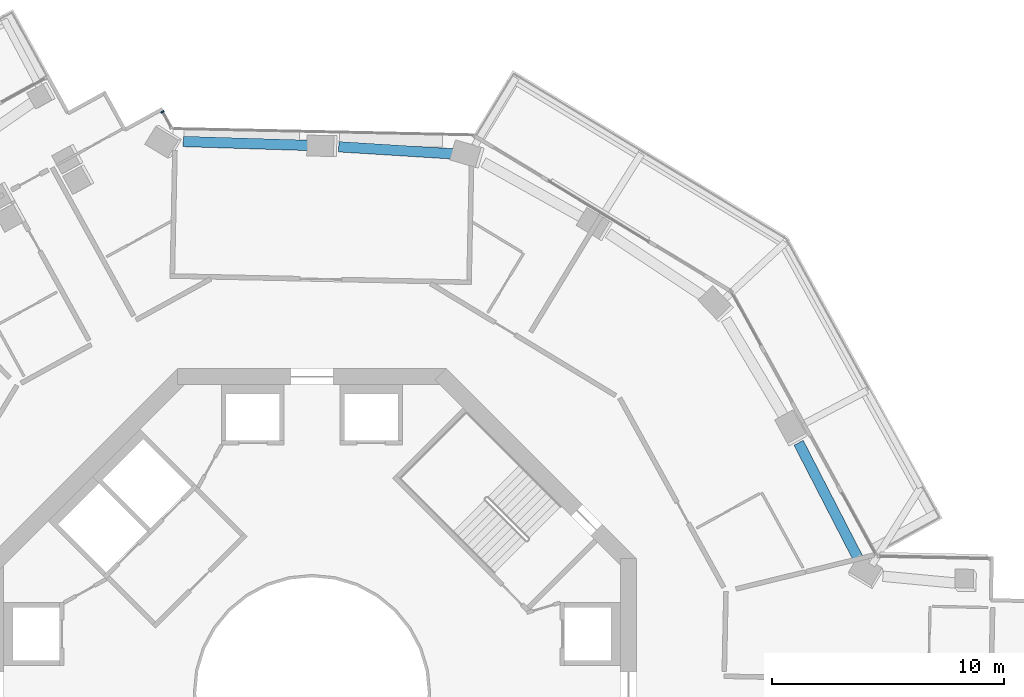
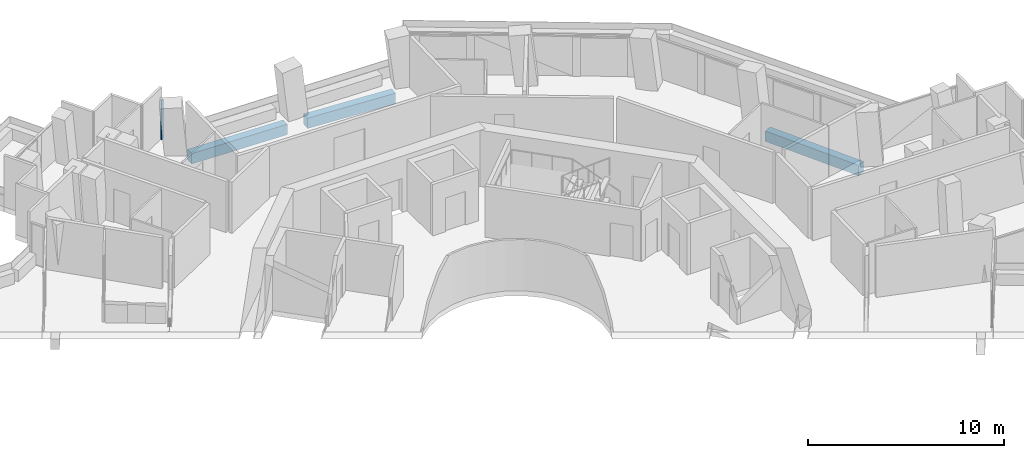
# One storey, part 8 of 22: 3 beams, 1 member, 1 element without a shape of its own.
"""IFC4 building model written with IfcOpenShell, lengths in metres."""

from ifc_helpers import new_model, si_unit, direction, frame, origin, origin_2d, place, context, subcontext, project, spatial, rectangle, extrude, material, layer, layer_set, material_profile, profile_set, type_object, element, aggregate, save


model = new_model("IFC4")

# Units and contexts
model_context = context("Model", 3, precision=1e-05, world=origin(), true_north=direction((0.0, 1.0)))
body_context = subcontext(model_context, "Body", "Model", "MODEL_VIEW")
ifc_project = project(units=[si_unit("LENGTHUNIT", "METRE"), si_unit("AREAUNIT", "SQUARE_METRE"), si_unit("VOLUMEUNIT", "CUBIC_METRE"), si_unit("PLANEANGLEUNIT", "RADIAN"), si_unit("MASSUNIT", "GRAM", prefix="KILO")], contexts=[model_context])

# Site, building, storey
site_placement = place(None, origin())
site = spatial("IfcSite", under=ifc_project, at=site_placement, CompositionType="ELEMENT")
building_placement = place(site_placement, origin())
building = spatial("IfcBuilding", under=site, at=building_placement, Name="Verdalira Terraces Hotel", CompositionType="ELEMENT")
storey_placement = place(building_placement, frame((0.0, 0.0, 150.5)))
storey = spatial("IfcBuildingStorey", under=building, at=storey_placement, Name="L36", CompositionType="ELEMENT", Elevation=150.5)

# Curtain wall, member
ifc_material_1 = material(Name="Clear glass", Category="glass")
ifc_layer = layer(ifc_material_1, 0.14990234375)
ifc_layer_set = layer_set([ifc_layer], Name="CW2 curtain wall")
curtain_wall_type = type_object("IfcCurtainWallType", Name="CW2 curtain wall", PredefinedType="NOTDEFINED", material=ifc_layer_set)
curtain_wall_placement = place(storey_placement, origin())
curtain_wall = element("IfcCurtainWall", 1, at=curtain_wall_placement, inside=storey, type_object=curtain_wall_type, Name="CW2 curtain wall L36 edge 0", PredefinedType="NOTDEFINED")
ifc_material_2 = material(Name="Terracotta frame", Category="masonry")
ifc_material_profile_1 = material_profile(ifc_material_2, rectangle(XDim=0.070068, YDim=0.149902, at=origin_2d()), Name="MU 70x150")
ifc_profile_set_1 = profile_set([ifc_material_profile_1], Name="Terracotta frame")
member_type = type_object("IfcMemberType", Name="CW2 mullion 70x150", PredefinedType="MULLION", material=ifc_profile_set_1)
member_placement = place(storey_placement, frame((-6.448975, 25.067139, 0.0), z_axis=(0.0, 0.0, 1.0), x_axis=(-0.481753674, 0.87630668, 0.0)))
member = element("IfcMember", 2, at=member_placement, type_object=member_type, Name="CW2 mullion", PredefinedType="MULLION", context=body_context, shape_type="SweptSolid", body=[
    extrude(rectangle(XDim=0.070068, YDim=0.149902, at=origin_2d()), origin(), (0.0, 0.0, 1.0), 2.475098),
])
aggregate(curtain_wall, [member])

# Beams
ifc_material_3 = material(Name="Concrete C50", Category="concrete")
ifc_material_profile_2 = material_profile(ifc_material_3, rectangle(XDim=0.449951, YDim=0.649902, at=origin_2d()), Name="RC 450X650")
ifc_profile_set_2 = profile_set([ifc_material_profile_2], Name="Concrete C50")
beam_type = type_object("IfcBeamType", Name="Spandrel beam RC 450X650 C50", PredefinedType="SPANDREL", material=ifc_profile_set_2)
beam_1_placement = place(storey_placement, frame((23.58252, 5.751709, -0.63501), z_axis=(-0.457549342, 0.889184233, 0.0), x_axis=(-0.889184233, -0.457549342, 0.0)))
element("IfcBeam", 3, at=beam_1_placement, inside=storey, type_object=beam_type, Name="Spandrel beam B18", PredefinedType="SPANDREL", context=body_context, shape_type="SweptSolid", body=[
    extrude(rectangle(XDim=0.449951, YDim=0.649902, at=origin_2d()), origin(), (0.0, 0.0, 1.0), 5.671387),
])
beam_2_placement = place(storey_placement, frame((6.156494, 23.252197, -0.63501), z_axis=(-0.998056932, 0.062308583, 0.0), x_axis=(-0.062308583, -0.998056932, 0.0)))
element("IfcBeam", 4, at=beam_2_placement, inside=storey, type_object=beam_type, Name="Spandrel beam B22", PredefinedType="SPANDREL", context=body_context, shape_type="SweptSolid", body=[
    extrude(rectangle(XDim=0.449951, YDim=0.649902, at=origin_2d()), origin(), (0.0, 0.0, 1.0), 5.015381),
])
beam_3_placement = place(storey_placement, frame((-0.011475, 23.619141, -0.63501), z_axis=(-0.99951126, 0.031260869, 0.0), x_axis=(-0.031260869, -0.99951126, 0.0)))
element("IfcBeam", 5, at=beam_3_placement, inside=storey, type_object=beam_type, Name="Spandrel beam B23", PredefinedType="SPANDREL", context=body_context, shape_type="SweptSolid", body=[
    extrude(rectangle(XDim=0.449951, YDim=0.649902, at=origin_2d()), origin(), (0.0, 0.0, 1.0), 5.544922),
])

save(model, "model.ifc")
